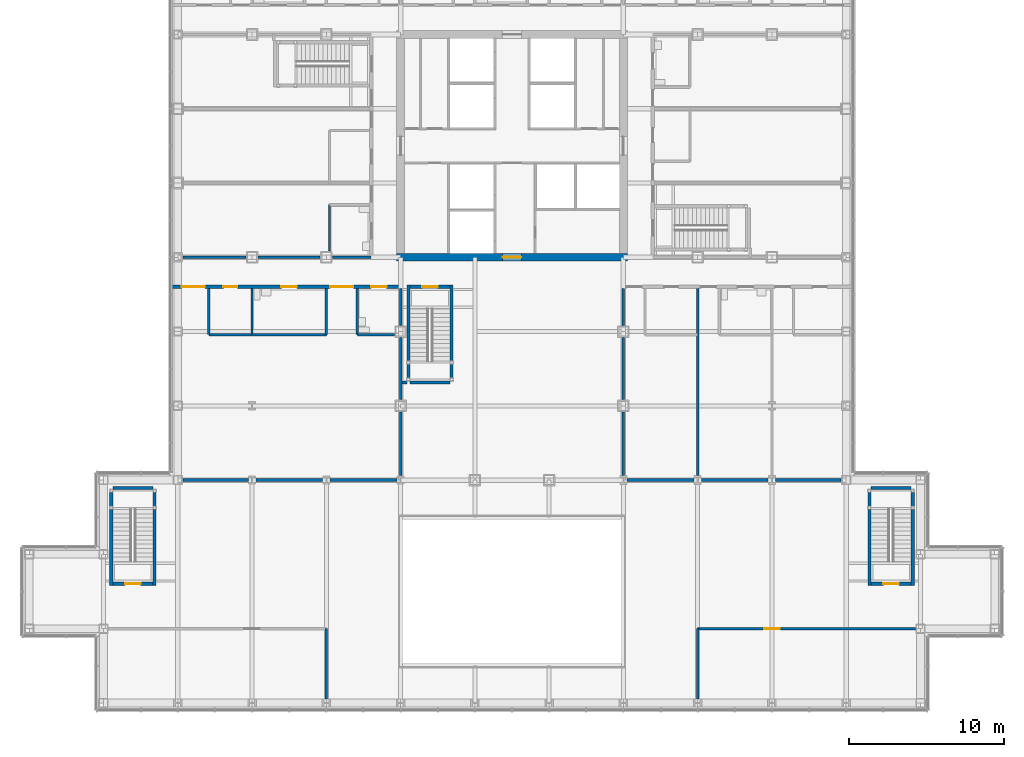
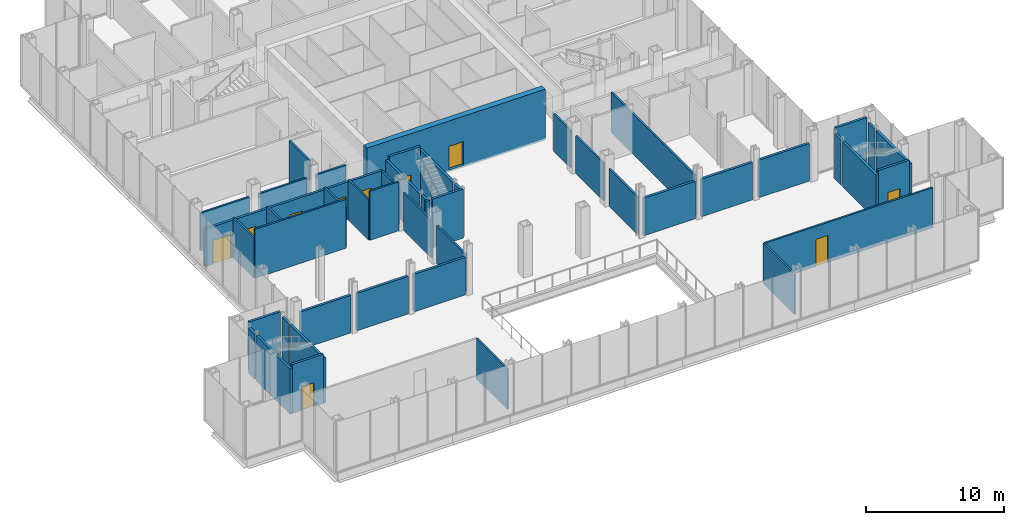
# One storey, part 19 of 25: 47 walls, 10 doors, 10 openings.
"""IFC4 building model written with IfcOpenShell, lengths in metres."""

from ifc_helpers import new_model, si_unit, direction, frame, frame_2d, origin, place, context, subcontext, project, spatial, rectangle, extrude, material, layer, layer_set, type_object, element, fill, save


model = new_model("IFC4")

# Units and contexts
model_context = context("Model", 3, precision=1e-05, world=origin(), true_north=direction((0.0, 1.0)))
body_context = subcontext(model_context, "Body", "Model", "MODEL_VIEW")
ifc_project = project(units=[si_unit("LENGTHUNIT", "METRE"), si_unit("AREAUNIT", "SQUARE_METRE"), si_unit("VOLUMEUNIT", "CUBIC_METRE"), si_unit("PLANEANGLEUNIT", "RADIAN"), si_unit("MASSUNIT", "GRAM", prefix="KILO")], contexts=[model_context])

# Site, building, storey
site_placement = place(None, origin())
site = spatial("IfcSite", under=ifc_project, at=site_placement, CompositionType="ELEMENT")
building_placement = place(site_placement, origin())
building = spatial("IfcBuilding", under=site, at=building_placement, Name="Kvirike Care Tower", CompositionType="ELEMENT")
storey_placement = place(building_placement, frame((0.0, 0.0, 13.5)))
storey = spatial("IfcBuildingStorey", under=building, at=storey_placement, Name="L03", CompositionType="ELEMENT", Elevation=13.5)

# Walls
ifc_material_1 = material(Name="Plasterboard partition", Category="gypsum")
ifc_layer_1 = layer(ifc_material_1, 0.14990234375)
ifc_layer_set_1 = layer_set([ifc_layer_1], Name="CLINIC PARTITION 150")
wall_type_1 = type_object("IfcWallType", Name="CLINIC PARTITION 150", PredefinedType="PARTITIONING", material=ifc_layer_set_1)
for number, where, z_axis, x_axis, name in (
    (1, (9.60009765625, 23.800048828125, 0.0), (0.0, 0.0, 1.0), (0.0, 1.0, 0.0), "Clinic Partition 150 L03"),
    (2, (2.0, 23.800048828125, 0.0), (0.0, 0.0, 1.0), (0.0, 1.0, 0.0), "Clinic Partition 150 L03"),
):
    element("IfcWall", number, at=place(storey_placement, frame(where, z_axis=z_axis, x_axis=x_axis)), inside=storey, type_object=wall_type_1, Name=name, PredefinedType="PARTITIONING", context=body_context, shape_type="SweptSolid", body=[
        extrude(rectangle(XDim=3.0, YDim=0.14990234375, at=frame_2d((1.5, 0.0))), origin(), (0.0, 0.0, 1.0), 3.550048828125),
    ])
wall_1_placement = place(storey_placement, frame((2.0, 23.800048828125, 0.0), z_axis=(0.0, 0.0, 1.0), x_axis=(1.0, 0.0, 0.0)))
element("IfcWall", 3, at=wall_1_placement, inside=storey, type_object=wall_type_1, Name="Clinic Partition 150 L03", PredefinedType="PARTITIONING", context=body_context, shape_type="SweptSolid", body=[
    extrude(rectangle(XDim=7.60009765625, YDim=0.14990234375, at=frame_2d((3.800048828125, 0.0))), origin(), (0.0, 0.0, 1.0), 4.330078125),
])
for number, where, z_axis, x_axis, name in (
    (4, (4.800048828125, 23.800048828125, 0.0), (0.0, 0.0, 1.0), (0.0, 1.0, 0.0), "Clinic Partition 150 L03"),
    (5, (11.60009765625, 23.800048828125, 0.0), (0.0, 0.0, 1.0), (0.0, 1.0, 0.0), "Clinic Partition 150 L03"),
):
    element("IfcWall", number, at=place(storey_placement, frame(where, z_axis=z_axis, x_axis=x_axis)), inside=storey, type_object=wall_type_1, Name=name, PredefinedType="PARTITIONING", context=body_context, shape_type="SweptSolid", body=[
        extrude(rectangle(XDim=3.0, YDim=0.14990234375, at=frame_2d((1.5, 0.0))), origin(), (0.0, 0.0, 1.0), 3.550048828125),
    ])
wall_2_placement = place(storey_placement, frame((11.60009765625, 23.800048828125, 0.0), z_axis=(0.0, 0.0, 1.0), x_axis=(1.0, 0.0, 0.0)))
element("IfcWall", 6, at=wall_2_placement, inside=storey, type_object=wall_type_1, Name="Clinic Partition 150 L03", PredefinedType="PARTITIONING", context=body_context, shape_type="SweptSolid", body=[
    extrude(rectangle(XDim=2.40478515625, YDim=0.14990234375, at=frame_2d((1.202392578125, 0.0))), origin(), (0.0, 0.0, 1.0), 4.330078125),
])
wall_3_placement = place(storey_placement, frame((9.800048828125, 32.199951171875, 0.0), z_axis=(0.0, 0.0, 1.0), x_axis=(0.0, -1.0, 0.0)))
element("IfcWall", 7, at=wall_3_placement, inside=storey, type_object=wall_type_1, Name="Clinic Partition 150 L03", PredefinedType="PARTITIONING", context=body_context, shape_type="SweptSolid", body=[
    extrude(rectangle(XDim=3.0048828125, YDim=0.14990234375, at=frame_2d((1.50244140625, 0.0))), origin(), (0.0, 0.0, 1.0), 4.330078125),
])
wall_4_placement = place(storey_placement, frame((33.60009765625, 14.70458984375, 0.0), z_axis=(0.0, 0.0, 1.0), x_axis=(0.0, 1.0, 0.0)))
element("IfcWall", 8, at=wall_4_placement, inside=storey, type_object=wall_type_1, Name="Clinic Partition 150 L03", PredefinedType="PARTITIONING", context=body_context, shape_type="SweptSolid", body=[
    extrude(rectangle(XDim=12.095458984375, YDim=0.14990234375, at=frame_2d((6.0478515625, 0.0))), origin(), (0.0, 0.0, 1.0), 3.550048828125),
])

# Wall, opening, door
wall_5_placement = place(storey_placement, frame((33.60009765625, 4.800048828125, 0.0), z_axis=(0.0, 0.0, 1.0), x_axis=(1.0, 0.0, 0.0)))
wall_5 = element("IfcWall", 9, at=wall_5_placement, inside=storey, type_object=wall_type_1, Name="Clinic Partition 150 L03", PredefinedType="PARTITIONING", context=body_context, shape_type="SweptSolid", body=[
    extrude(rectangle(XDim=14.079833984375, YDim=0.14990234375, at=frame_2d((7.0400390625, 0.0))), origin(), (0.0, 0.0, 1.0), 3.550048828125),
])
opening_1_placement = place(wall_5_placement, frame((4.300048828125, 0.0, 0.0)))
opening_1 = element("IfcOpeningElement", 10, at=opening_1_placement, cuts=wall_5, Name="Opening 03-046", PredefinedType="OPENING", context=body_context, shape_type="SweptSolid", body=[
    extrude(rectangle(XDim=1.0, YDim=2.39990234375, at=frame_2d((0.5, 1.199951171875))), frame((0.0, 0.08544921875, 0.0), z_axis=(0.0, -1.0, 0.0), x_axis=(1.0, 0.0, 0.0)), (0.0, 0.0, 1.0), 0.1708984375),
])
ifc_material_2 = material(Name="Timber door set", Category="wood")
door_type_1 = type_object("IfcDoorType", Name="CONSULTING ROOM DOOR 1000", OperationType="SINGLE_SWING_LEFT", PredefinedType="DOOR", material=ifc_material_2)
door_1_placement = place(opening_1_placement, frame((1.0, 0.0, 0.0), z_axis=(0.0, 0.0, 1.0), x_axis=(-1.0, 0.0, 0.0)))
door_1 = element("IfcDoor", 11, at=door_1_placement, inside=storey, type_object=door_type_1, Name="Room door", OperationType="SINGLE_SWING_LEFT", OverallHeight=2.39990234375, OverallWidth=1.0, PredefinedType="DOOR", context=body_context, shape_type="SweptSolid", body=[
    extrude(rectangle(XDim=1.0, YDim=2.39990234375, at=frame_2d((0.5, 1.199951171875))), frame((0.0, 0.02685546875, 0.0), z_axis=(0.0, -1.0, 0.0), x_axis=(1.0, 0.0, 0.0)), (0.0, 0.0, 1.0), 0.053955078125),
])
fill(opening_1, door_1)

# Walls
for number, where, z_axis, x_axis, name in (
    (12, (9.60009765625, 0.243896484375, 0.0), (0.0, 0.0, 1.0), (0.0, 1.0, 0.0), "Clinic Partition 150 L03"),
    (13, (33.60009765625, 0.243896484375, 0.0), (0.0, 0.0, 1.0), (0.0, 1.0, 0.0), "Clinic Partition 150 L03"),
):
    element("IfcWall", number, at=place(storey_placement, frame(where, z_axis=z_axis, x_axis=x_axis)), inside=storey, type_object=wall_type_1, Name=name, PredefinedType="PARTITIONING", context=body_context, shape_type="SweptSolid", body=[
        extrude(rectangle(XDim=4.55615234375, YDim=0.14990234375, at=frame_2d((2.278076171875, 0.0))), origin(), (0.0, 0.0, 1.0), 3.550048828125),
    ])
wall_6_placement = place(storey_placement, frame((12.5, 28.800048828125, 0.0), z_axis=(0.0, 0.0, 1.0), x_axis=(-1.0, 0.0, 0.0)))
element("IfcWall", 14, at=wall_6_placement, inside=storey, type_object=wall_type_1, Name="Clinic Partition 150 L03", PredefinedType="PARTITIONING", context=body_context, shape_type="SweptSolid", body=[
    extrude(rectangle(XDim=2.5048828125, YDim=0.14990234375, at=frame_2d((1.25244140625, 0.0))), origin(), (0.0, 0.0, 1.0), 3.320068359375),
])
wall_7_placement = place(storey_placement, frame((9.205078125, 28.800048828125, 0.0), z_axis=(0.0, 0.0, 1.0), x_axis=(-1.0, 0.0, 0.0)))
element("IfcWall", 15, at=wall_7_placement, inside=storey, type_object=wall_type_1, Name="Clinic Partition 150 L03", PredefinedType="PARTITIONING", context=body_context, shape_type="SweptSolid", body=[
    extrude(rectangle(XDim=4.010009765625, YDim=0.14990234375, at=frame_2d((2.0048828125, 0.0))), origin(), (0.0, 0.0, 1.0), 3.320068359375),
])
wall_8_placement = place(storey_placement, frame((4.405029296875, 28.800048828125, 0.0), z_axis=(0.0, 0.0, 1.0), x_axis=(-1.0, 0.0, 0.0)))
element("IfcWall", 16, at=wall_8_placement, inside=storey, type_object=wall_type_1, Name="Clinic Partition 150 L03", PredefinedType="PARTITIONING", context=body_context, shape_type="SweptSolid", body=[
    extrude(rectangle(XDim=4.0849609375, YDim=0.14990234375, at=frame_2d((2.04248046875, 0.0))), origin(), (0.0, 0.0, 1.0), 3.320068359375),
])
wall_9_placement = place(storey_placement, frame((14.39990234375, 14.685546875, 0.0), z_axis=(0.0, 0.0, 1.0), x_axis=(0.0, 1.0, 0.0)))
element("IfcWall", 17, at=wall_9_placement, inside=storey, type_object=wall_type_1, Name="Clinic Partition 150 L03", PredefinedType="PARTITIONING", context=body_context, shape_type="SweptSolid", body=[
    extrude(rectangle(XDim=4.119384765625, YDim=0.14990234375, at=frame_2d((2.0595703125, 0.0))), origin(), (0.0, 0.0, 1.0), 3.320068359375),
])
wall_10_placement = place(storey_placement, frame((14.39990234375, 19.594970703125, 0.0), z_axis=(0.0, 0.0, 1.0), x_axis=(0.0, 1.0, 0.0)))
element("IfcWall", 18, at=wall_10_placement, inside=storey, type_object=wall_type_1, Name="Clinic Partition 150 L03", PredefinedType="PARTITIONING", context=body_context, shape_type="SweptSolid", body=[
    extrude(rectangle(XDim=4.010009765625, YDim=0.14990234375, at=frame_2d((2.0048828125, 0.0))), origin(), (0.0, 0.0, 1.0), 3.320068359375),
])
wall_11_placement = place(storey_placement, frame((14.39990234375, 24.39501953125, 0.0), z_axis=(0.0, 0.0, 1.0), x_axis=(0.0, 1.0, 0.0)))
element("IfcWall", 19, at=wall_11_placement, inside=storey, type_object=wall_type_1, Name="Clinic Partition 150 L03", PredefinedType="PARTITIONING", context=body_context, shape_type="SweptSolid", body=[
    extrude(rectangle(XDim=2.405029296875, YDim=0.14990234375, at=frame_2d((1.20263671875, 0.0))), origin(), (0.0, 0.0, 1.0), 3.320068359375),
])
wall_12_placement = place(storey_placement, frame((28.800048828125, 14.70458984375, 0.0), z_axis=(0.0, 0.0, 1.0), x_axis=(0.0, 1.0, 0.0)))
element("IfcWall", 20, at=wall_12_placement, inside=storey, type_object=wall_type_1, Name="Clinic Partition 150 L03", PredefinedType="PARTITIONING", context=body_context, shape_type="SweptSolid", body=[
    extrude(rectangle(XDim=4.100341796875, YDim=0.14990234375, at=frame_2d((2.05029296875, 0.0))), origin(), (0.0, 0.0, 1.0), 3.320068359375),
])
wall_13_placement = place(storey_placement, frame((28.800048828125, 19.594970703125, 0.0), z_axis=(0.0, 0.0, 1.0), x_axis=(0.0, 1.0, 0.0)))
element("IfcWall", 21, at=wall_13_placement, inside=storey, type_object=wall_type_1, Name="Clinic Partition 150 L03", PredefinedType="PARTITIONING", context=body_context, shape_type="SweptSolid", body=[
    extrude(rectangle(XDim=4.010009765625, YDim=0.14990234375, at=frame_2d((2.0048828125, 0.0))), origin(), (0.0, 0.0, 1.0), 3.320068359375),
])
wall_14_placement = place(storey_placement, frame((28.800048828125, 24.39501953125, 0.0), z_axis=(0.0, 0.0, 1.0), x_axis=(0.0, 1.0, 0.0)))
element("IfcWall", 22, at=wall_14_placement, inside=storey, type_object=wall_type_1, Name="Clinic Partition 150 L03", PredefinedType="PARTITIONING", context=body_context, shape_type="SweptSolid", body=[
    extrude(rectangle(XDim=2.405029296875, YDim=0.14990234375, at=frame_2d((1.20263671875, 0.0))), origin(), (0.0, 0.0, 1.0), 3.320068359375),
])

# Wall, opening, door
ifc_material_3 = material(Name="Concrete C60/75", Category="concrete")
ifc_layer_2 = layer(ifc_material_3, 0.5)
ifc_layer_set_2 = layer_set([ifc_layer_2], Name="CORE WALL 500 C60-75")
wall_type_2 = type_object("IfcWallType", Name="CORE WALL 500 C60-75", PredefinedType="SHEAR", material=ifc_layer_set_2)
wall_15_placement = place(storey_placement, frame((14.14990234375, 28.800048828125, -0.169921875), z_axis=(0.0, 0.0, 1.0), x_axis=(1.0, 0.0, 0.0)))
wall_15 = element("IfcWall", 23, at=wall_15_placement, inside=storey, type_object=wall_type_2, Name="Core wall S L03", PredefinedType="SHEAR", context=body_context, shape_type="SweptSolid", body=[
    extrude(rectangle(XDim=14.900146484375, YDim=0.5, at=frame_2d((7.4501953125, 0.0))), origin(), (0.0, 0.0, 1.0), 4.5),
])
opening_2_placement = place(wall_15_placement, frame((6.85009765625, 0.0, 0.169921875)))
opening_2 = element("IfcOpeningElement", 24, at=opening_2_placement, cuts=wall_15, Name="Opening 03-058", PredefinedType="OPENING", context=body_context, shape_type="SweptSolid", body=[
    extrude(rectangle(XDim=1.199951171875, YDim=2.10009765625, at=frame_2d((0.60009765625, 1.050048828125))), frame((0.0, 0.260498046875, 0.0), z_axis=(0.0, -1.0, 0.0), x_axis=(1.0, 0.0, 0.0)), (0.0, 0.0, 1.0), 0.52099609375),
])
ifc_material_4 = material(Name="Timber door set", Category="wood")
door_type_2 = type_object("IfcDoorType", Name="CORE DOOR 1200", OperationType="SINGLE_SWING_LEFT", PredefinedType="DOOR", material=ifc_material_4)
door_2_placement = place(opening_2_placement, origin())
door_2 = element("IfcDoor", 25, at=door_2_placement, inside=storey, type_object=door_type_2, Name="Core door S L03", OperationType="SINGLE_SWING_LEFT", OverallHeight=2.10009765625, OverallWidth=1.199951171875, PredefinedType="DOOR", context=body_context, shape_type="SweptSolid", body=[
    extrude(rectangle(XDim=1.199951171875, YDim=2.10009765625, at=frame_2d((0.60009765625, 1.050048828125))), frame((0.0, 0.02685546875, 0.0), z_axis=(0.0, -1.0, 0.0), x_axis=(1.0, 0.0, 0.0)), (0.0, 0.0, 1.0), 0.053955078125),
])
fill(opening_2, door_2)

# Wall, openings, doors
ifc_material_5 = material(Name="Plasterboard corridor wall", Category="gypsum")
ifc_layer_3 = layer(ifc_material_5, 0.199951171875)
ifc_layer_set_3 = layer_set([ifc_layer_3], Name="CORRIDOR WALL 200")
wall_type_3 = type_object("IfcWallType", Name="CORRIDOR WALL 200", PredefinedType="PARTITIONING", material=ifc_layer_set_3)
wall_16_placement = place(storey_placement, frame((-0.455078125, 26.89990234375, 0.0), z_axis=(0.0, 0.0, 1.0), x_axis=(1.0, 0.0, 0.0)))
wall_16 = element("IfcWall", 26, at=wall_16_placement, inside=storey, type_object=wall_type_3, Name="Corridor Wall 200 L03", PredefinedType="PARTITIONING", context=body_context, shape_type="SweptSolid", body=[
    extrude(rectangle(XDim=14.85498046875, YDim=0.199951171875, at=frame_2d((7.427490234375, 0.0))), origin(), (0.0, 0.0, 1.0), 3.320068359375),
])
opening_3_placement = place(wall_16_placement, frame((0.705078125, 0.0, 0.0)))
opening_3 = element("IfcOpeningElement", 27, at=opening_3_placement, cuts=wall_16, Name="Opening 03-001", PredefinedType="OPENING", context=body_context, shape_type="SweptSolid", body=[
    extrude(rectangle(XDim=1.5, YDim=2.10009765625, at=frame_2d((0.75, 1.050048828125))), frame((0.0, 0.110595703125, 0.0), z_axis=(0.0, -1.0, 0.0), x_axis=(1.0, 0.0, 0.0)), (0.0, 0.0, 1.0), 0.220947265625),
])
opening_4_placement = place(wall_16_placement, frame((10.304931640625, 0.0, 0.0)))
opening_4 = element("IfcOpeningElement", 28, at=opening_4_placement, cuts=wall_16, Name="Opening 03-002", PredefinedType="OPENING", context=body_context, shape_type="SweptSolid", body=[
    extrude(rectangle(XDim=1.5, YDim=2.10009765625, at=frame_2d((0.75, 1.050048828125))), frame((0.0, 0.110595703125, 0.0), z_axis=(0.0, -1.0, 0.0), x_axis=(1.0, 0.0, 0.0)), (0.0, 0.0, 1.0), 0.220947265625),
])
opening_5_placement = place(wall_16_placement, frame((3.405029296875, 0.0, 0.0)))
opening_5 = element("IfcOpeningElement", 29, at=opening_5_placement, cuts=wall_16, Name="Opening 03-003", PredefinedType="OPENING", context=body_context, shape_type="SweptSolid", body=[
    extrude(rectangle(XDim=0.89990234375, YDim=2.10009765625, at=frame_2d((0.449951171875, 1.050048828125))), frame((0.0, 0.110595703125, 0.0), z_axis=(0.0, -1.0, 0.0), x_axis=(1.0, 0.0, 0.0)), (0.0, 0.0, 1.0), 0.220947265625),
])
opening_6_placement = place(wall_16_placement, frame((7.155029296875, 0.0, 0.0)))
opening_6 = element("IfcOpeningElement", 30, at=opening_6_placement, cuts=wall_16, Name="Opening 03-004", PredefinedType="OPENING", context=body_context, shape_type="SweptSolid", body=[
    extrude(rectangle(XDim=1.0, YDim=2.10009765625, at=frame_2d((0.5, 1.050048828125))), frame((0.0, 0.110595703125, 0.0), z_axis=(0.0, -1.0, 0.0), x_axis=(1.0, 0.0, 0.0)), (0.0, 0.0, 1.0), 0.220947265625),
])
opening_7_placement = place(wall_16_placement, frame((12.955078125, 0.0, 0.0)))
opening_7 = element("IfcOpeningElement", 31, at=opening_7_placement, cuts=wall_16, Name="Opening 03-005", PredefinedType="OPENING", context=body_context, shape_type="SweptSolid", body=[
    extrude(rectangle(XDim=1.0, YDim=2.10009765625, at=frame_2d((0.5, 1.050048828125))), frame((0.0, 0.110595703125, 0.0), z_axis=(0.0, -1.0, 0.0), x_axis=(1.0, 0.0, 0.0)), (0.0, 0.0, 1.0), 0.220947265625),
])
ifc_material_6 = material(Name="Timber door set", Category="wood")
door_type_3 = type_object("IfcDoorType", Name="DINING ROOM DOOR 1500", OperationType="DOUBLE_DOOR_SINGLE_SWING", PredefinedType="DOOR", material=ifc_material_6)
door_3_placement = place(opening_3_placement, frame((1.5, 0.0, 0.0), z_axis=(0.0, 0.0, 1.0), x_axis=(-1.0, 0.0, 0.0)))
door_3 = element("IfcDoor", 32, at=door_3_placement, inside=storey, type_object=door_type_3, Name="Residents restaurant door", OperationType="DOUBLE_DOOR_SINGLE_SWING", OverallHeight=2.10009765625, OverallWidth=1.5, PredefinedType="DOOR", context=body_context, shape_type="SweptSolid", body=[
    extrude(rectangle(XDim=1.5, YDim=2.10009765625, at=frame_2d((0.75, 1.050048828125))), frame((0.0, 0.02685546875, 0.0), z_axis=(0.0, -1.0, 0.0), x_axis=(1.0, 0.0, 0.0)), (0.0, 0.0, 1.0), 0.053955078125),
])
fill(opening_3, door_3)
door_4_placement = place(opening_4_placement, frame((1.5, 0.0, 0.0), z_axis=(0.0, 0.0, 1.0), x_axis=(-1.0, 0.0, 0.0)))
door_4 = element("IfcDoor", 33, at=door_4_placement, inside=storey, type_object=door_type_3, Name="Residents restaurant door", OperationType="DOUBLE_DOOR_SINGLE_SWING", OverallHeight=2.10009765625, OverallWidth=1.5, PredefinedType="DOOR", context=body_context, shape_type="SweptSolid", body=[
    extrude(rectangle(XDim=1.5, YDim=2.10009765625, at=frame_2d((0.75, 1.050048828125))), frame((0.0, 0.02685546875, 0.0), z_axis=(0.0, -1.0, 0.0), x_axis=(1.0, 0.0, 0.0)), (0.0, 0.0, 1.0), 0.053955078125),
])
fill(opening_4, door_4)
ifc_material_7 = material(Name="Timber door set", Category="wood")
door_type_4 = type_object("IfcDoorType", Name="STORE DOOR 900", OperationType="SINGLE_SWING_LEFT", PredefinedType="DOOR", material=ifc_material_7)
door_5_placement = place(opening_5_placement, frame((0.89990234375, 0.0, 0.0), z_axis=(0.0, 0.0, 1.0), x_axis=(-1.0, 0.0, 0.0)))
door_5 = element("IfcDoor", 34, at=door_5_placement, inside=storey, type_object=door_type_4, Name="Store door", OperationType="SINGLE_SWING_LEFT", OverallHeight=2.10009765625, OverallWidth=0.89990234375, PredefinedType="DOOR", context=body_context, shape_type="SweptSolid", body=[
    extrude(rectangle(XDim=0.89990234375, YDim=2.10009765625, at=frame_2d((0.449951171875, 1.050048828125))), frame((0.0, 0.02685546875, 0.0), z_axis=(0.0, -1.0, 0.0), x_axis=(1.0, 0.0, 0.0)), (0.0, 0.0, 1.0), 0.053955078125),
])
fill(opening_5, door_5)
ifc_material_8 = material(Name="Timber door set", Category="wood")
door_type_5 = type_object("IfcDoorType", Name="WC DOOR 1000", OperationType="SINGLE_SWING_LEFT", PredefinedType="DOOR", material=ifc_material_8)
door_6_placement = place(opening_6_placement, frame((1.0, 0.0, 0.0), z_axis=(0.0, 0.0, 1.0), x_axis=(-1.0, 0.0, 0.0)))
door_6 = element("IfcDoor", 35, at=door_6_placement, inside=storey, type_object=door_type_5, Name="Accessible WC door", OperationType="SINGLE_SWING_LEFT", OverallHeight=2.10009765625, OverallWidth=1.0, PredefinedType="DOOR", context=body_context, shape_type="SweptSolid", body=[
    extrude(rectangle(XDim=1.0, YDim=2.10009765625, at=frame_2d((0.5, 1.050048828125))), frame((0.0, 0.02685546875, 0.0), z_axis=(0.0, -1.0, 0.0), x_axis=(1.0, 0.0, 0.0)), (0.0, 0.0, 1.0), 0.053955078125),
])
fill(opening_6, door_6)
door_7_placement = place(opening_7_placement, frame((1.0, 0.0, 0.0), z_axis=(0.0, 0.0, 1.0), x_axis=(-1.0, 0.0, 0.0)))
door_7 = element("IfcDoor", 36, at=door_7_placement, inside=storey, type_object=door_type_5, Name="Staff WC door", OperationType="SINGLE_SWING_RIGHT", OverallHeight=2.10009765625, OverallWidth=1.0, PredefinedType="DOOR", context=body_context, shape_type="SweptSolid", body=[
    extrude(rectangle(XDim=1.0, YDim=2.10009765625, at=frame_2d((0.5, 1.050048828125))), frame((0.0, 0.02685546875, 0.0), z_axis=(0.0, -1.0, 0.0), x_axis=(1.0, 0.0, 0.0)), (0.0, 0.0, 1.0), 0.053955078125),
])
fill(opening_7, door_7)

# Walls
ifc_material_9 = material(Name="Plasterboard party wall", Category="gypsum")
ifc_layer_4 = layer(ifc_material_9, 0.199951171875)
ifc_layer_set_4 = layer_set([ifc_layer_4], Name="PARTY WALL 200")
wall_type_4 = type_object("IfcWallType", Name="PARTY WALL 200", PredefinedType="PARTITIONING", material=ifc_layer_set_4)
wall_17_placement = place(storey_placement, frame((0.320068359375, 14.39990234375, 0.0), z_axis=(0.0, 0.0, 1.0), x_axis=(1.0, 0.0, 0.0)))
element("IfcWall", 37, at=wall_17_placement, inside=storey, type_object=wall_type_4, Name="Party Wall 200 L03", PredefinedType="PARTITIONING", context=body_context, shape_type="SweptSolid", body=[
    extrude(rectangle(XDim=4.239013671875, YDim=0.199951171875, at=frame_2d((2.11962890625, 0.0))), origin(), (0.0, 0.0, 1.0), 3.320068359375),
])
for number, where, z_axis, x_axis, name in (
    (38, (5.041015625, 14.39990234375, 0.0), (0.0, 0.0, 1.0), (1.0, 0.0, 0.0), "Party Wall 200 L03"),
    (39, (9.841064453125, 14.39990234375, 0.0), (0.0, 0.0, 1.0), (1.0, 0.0, 0.0), "Party Wall 200 L03"),
):
    element("IfcWall", number, at=place(storey_placement, frame(where, z_axis=z_axis, x_axis=x_axis)), inside=storey, type_object=wall_type_4, Name=name, PredefinedType="PARTITIONING", context=body_context, shape_type="SweptSolid", body=[
        extrude(rectangle(XDim=4.31787109375, YDim=0.199951171875, at=frame_2d((2.158935546875, 0.0))), origin(), (0.0, 0.0, 1.0), 3.320068359375),
    ])
wall_18_placement = place(storey_placement, frame((29.047119140625, 14.39990234375, 0.0), z_axis=(0.0, 0.0, 1.0), x_axis=(1.0, 0.0, 0.0)))
element("IfcWall", 40, at=wall_18_placement, inside=storey, type_object=wall_type_4, Name="Party Wall 200 L03", PredefinedType="PARTITIONING", context=body_context, shape_type="SweptSolid", body=[
    extrude(rectangle(XDim=4.305908203125, YDim=0.199951171875, at=frame_2d((2.15283203125, 0.0))), origin(), (0.0, 0.0, 1.0), 3.320068359375),
])
wall_19_placement = place(storey_placement, frame((33.846923828125, 14.39990234375, 0.0), z_axis=(0.0, 0.0, 1.0), x_axis=(1.0, 0.0, 0.0)))
element("IfcWall", 41, at=wall_19_placement, inside=storey, type_object=wall_type_4, Name="Party Wall 200 L03", PredefinedType="PARTITIONING", context=body_context, shape_type="SweptSolid", body=[
    extrude(rectangle(XDim=4.30615234375, YDim=0.199951171875, at=frame_2d((2.153076171875, 0.0))), origin(), (0.0, 0.0, 1.0), 3.320068359375),
])
wall_20_placement = place(storey_placement, frame((38.64697265625, 14.39990234375, 0.0), z_axis=(0.0, 0.0, 1.0), x_axis=(1.0, 0.0, 0.0)))
element("IfcWall", 42, at=wall_20_placement, inside=storey, type_object=wall_type_4, Name="Party Wall 200 L03", PredefinedType="PARTITIONING", context=body_context, shape_type="SweptSolid", body=[
    extrude(rectangle(XDim=4.23291015625, YDim=0.199951171875, at=frame_2d((2.116455078125, 0.0))), origin(), (0.0, 0.0, 1.0), 3.320068359375),
])
ifc_material_10 = material(Name="Concrete C40/50", Category="concrete")
ifc_layer_5 = layer(ifc_material_10, 0.199951171875)
ifc_layer_set_5 = layer_set([ifc_layer_5], Name="STAIR WALL 200")
wall_type_5 = type_object("IfcWallType", Name="STAIR WALL 200", PredefinedType="SOLIDWALL", material=ifc_layer_set_5)
wall_21_placement = place(storey_placement, frame((14.89990234375, 21.0, 0.0), z_axis=(0.0, 0.0, 1.0), x_axis=(0.0, 1.0, 0.0)))
element("IfcWall", 43, at=wall_21_placement, inside=storey, type_object=wall_type_5, Name="Stair Wall 200 L03", PredefinedType="SOLIDWALL", context=body_context, shape_type="SweptSolid", body=[
    extrude(rectangle(XDim=0.89990234375, YDim=0.199951171875, at=frame_2d((0.449951171875, 0.0))), origin(), (0.0, 0.0, 1.0), 3.989990234375),
])
wall_22_placement = place(storey_placement, frame((14.89990234375, 22.10009765625, 0.0), z_axis=(0.0, 0.0, 1.0), x_axis=(0.0, 1.0, 0.0)))
element("IfcWall", 44, at=wall_22_placement, inside=storey, type_object=wall_type_5, Name="Stair Wall 200 L03", PredefinedType="SOLIDWALL", context=body_context, shape_type="SweptSolid", body=[
    extrude(rectangle(XDim=4.89990234375, YDim=0.199951171875, at=frame_2d((2.449951171875, 0.0))), origin(), (0.0, 0.0, 1.0), 3.989990234375),
])
wall_23_placement = place(storey_placement, frame((17.699951171875, 21.0, 0.0), z_axis=(0.0, 0.0, 1.0), x_axis=(0.0, 1.0, 0.0)))
element("IfcWall", 45, at=wall_23_placement, inside=storey, type_object=wall_type_5, Name="Stair Wall 200 L03", PredefinedType="SOLIDWALL", context=body_context, shape_type="SweptSolid", body=[
    extrude(rectangle(XDim=0.89990234375, YDim=0.199951171875, at=frame_2d((0.449951171875, 0.0))), origin(), (0.0, 0.0, 1.0), 3.989990234375),
])
wall_24_placement = place(storey_placement, frame((17.699951171875, 22.10009765625, 0.0), z_axis=(0.0, 0.0, 1.0), x_axis=(0.0, 1.0, 0.0)))
element("IfcWall", 46, at=wall_24_placement, inside=storey, type_object=wall_type_5, Name="Stair Wall 200 L03", PredefinedType="SOLIDWALL", context=body_context, shape_type="SweptSolid", body=[
    extrude(rectangle(XDim=4.89990234375, YDim=0.199951171875, at=frame_2d((2.449951171875, 0.0))), origin(), (0.0, 0.0, 1.0), 3.989990234375),
])
wall_25_placement = place(storey_placement, frame((14.47509765625, 20.699951171875, 0.0), z_axis=(0.0, 0.0, 1.0), x_axis=(1.0, 0.0, 0.0)))
element("IfcWall", 47, at=wall_25_placement, inside=storey, type_object=wall_type_5, Name="Stair Wall 200 L03", PredefinedType="SOLIDWALL", context=body_context, shape_type="SweptSolid", body=[
    extrude(rectangle(XDim=0.324951171875, YDim=0.199951171875, at=frame_2d((0.16259765625, 0.0))), origin(), (0.0, 0.0, 1.0), 4.330078125),
])
wall_26_placement = place(storey_placement, frame((15.0, 20.699951171875, 0.0), z_axis=(0.0, 0.0, 1.0), x_axis=(1.0, 0.0, 0.0)))
element("IfcWall", 48, at=wall_26_placement, inside=storey, type_object=wall_type_5, Name="Stair Wall 200 L03", PredefinedType="SOLIDWALL", context=body_context, shape_type="SweptSolid", body=[
    extrude(rectangle(XDim=2.60009765625, YDim=0.199951171875, at=frame_2d((1.300048828125, 0.0))), origin(), (0.0, 0.0, 1.0), 4.330078125),
])

# Wall, opening, door
wall_27_placement = place(storey_placement, frame((15.0, 26.89990234375, 0.0), z_axis=(0.0, 0.0, 1.0), x_axis=(1.0, 0.0, 0.0)))
wall_27 = element("IfcWall", 49, at=wall_27_placement, inside=storey, type_object=wall_type_5, Name="Stair Wall 200 L03", PredefinedType="SOLIDWALL", context=body_context, shape_type="SweptSolid", body=[
    extrude(rectangle(XDim=2.60009765625, YDim=0.199951171875, at=frame_2d((1.300048828125, 0.0))), origin(), (0.0, 0.0, 1.0), 4.330078125),
])
opening_8_placement = place(wall_27_placement, frame((0.800048828125, 0.0, 0.0)))
opening_8 = element("IfcOpeningElement", 50, at=opening_8_placement, cuts=wall_27, Name="Opening 03-018", PredefinedType="OPENING", context=body_context, shape_type="SweptSolid", body=[
    extrude(rectangle(XDim=1.0, YDim=2.10009765625, at=frame_2d((0.5, 1.050048828125))), frame((0.0, 0.110595703125, 0.0), z_axis=(0.0, -1.0, 0.0), x_axis=(1.0, 0.0, 0.0)), (0.0, 0.0, 1.0), 0.220947265625),
])
ifc_material_11 = material(Name="Timber door set", Category="wood")
door_type_6 = type_object("IfcDoorType", Name="STAIR DOOR 1000", OperationType="SINGLE_SWING_LEFT", PredefinedType="DOOR", material=ifc_material_11)
door_8_placement = place(opening_8_placement, frame((1.0, 0.0, 0.0), z_axis=(0.0, 0.0, 1.0), x_axis=(-1.0, 0.0, 0.0)))
door_8 = element("IfcDoor", 51, at=door_8_placement, inside=storey, type_object=door_type_6, Name="Stair 5 door", OperationType="SINGLE_SWING_RIGHT", OverallHeight=2.10009765625, OverallWidth=1.0, PredefinedType="DOOR", context=body_context, shape_type="SweptSolid", body=[
    extrude(rectangle(XDim=1.0, YDim=2.10009765625, at=frame_2d((0.5, 1.050048828125))), frame((0.0, 0.031982421875, 0.0), z_axis=(0.0, -1.0, 0.0), x_axis=(1.0, 0.0, 0.0)), (0.0, 0.0, 1.0), 0.06396484375),
])
fill(opening_8, door_8)

# Walls
wall_28_placement = place(storey_placement, frame((-4.300048828125, 13.60009765625, 0.0), z_axis=(0.0, 0.0, 1.0), x_axis=(0.0, -1.0, 0.0)))
element("IfcWall", 52, at=wall_28_placement, inside=storey, type_object=wall_type_5, Name="Stair Wall 200 L03", PredefinedType="SOLIDWALL", context=body_context, shape_type="SweptSolid", body=[
    extrude(rectangle(XDim=0.900146484375, YDim=0.199951171875, at=frame_2d((0.4501953125, 0.0))), origin(), (0.0, 0.0, 1.0), 3.989990234375),
])
wall_29_placement = place(storey_placement, frame((-4.300048828125, 12.5, 0.0), z_axis=(0.0, 0.0, 1.0), x_axis=(0.0, -1.0, 0.0)))
element("IfcWall", 53, at=wall_29_placement, inside=storey, type_object=wall_type_5, Name="Stair Wall 200 L03", PredefinedType="SOLIDWALL", context=body_context, shape_type="SweptSolid", body=[
    extrude(rectangle(XDim=4.89990234375, YDim=0.199951171875, at=frame_2d((2.449951171875, 0.0))), origin(), (0.0, 0.0, 1.0), 3.989990234375),
])
wall_30_placement = place(storey_placement, frame((-1.5, 13.60009765625, 0.0), z_axis=(0.0, 0.0, 1.0), x_axis=(0.0, -1.0, 0.0)))
element("IfcWall", 54, at=wall_30_placement, inside=storey, type_object=wall_type_5, Name="Stair Wall 200 L03", PredefinedType="SOLIDWALL", context=body_context, shape_type="SweptSolid", body=[
    extrude(rectangle(XDim=0.900146484375, YDim=0.199951171875, at=frame_2d((0.4501953125, 0.0))), origin(), (0.0, 0.0, 1.0), 3.989990234375),
])
wall_31_placement = place(storey_placement, frame((-1.5, 12.5, 0.0), z_axis=(0.0, 0.0, 1.0), x_axis=(0.0, -1.0, 0.0)))
element("IfcWall", 55, at=wall_31_placement, inside=storey, type_object=wall_type_5, Name="Stair Wall 200 L03", PredefinedType="SOLIDWALL", context=body_context, shape_type="SweptSolid", body=[
    extrude(rectangle(XDim=4.89990234375, YDim=0.199951171875, at=frame_2d((2.449951171875, 0.0))), origin(), (0.0, 0.0, 1.0), 3.989990234375),
])
wall_32_placement = place(storey_placement, frame((-4.199951171875, 13.89990234375, 0.0), z_axis=(0.0, 0.0, 1.0), x_axis=(1.0, 0.0, 0.0)))
element("IfcWall", 56, at=wall_32_placement, inside=storey, type_object=wall_type_5, Name="Stair Wall 200 L03", PredefinedType="SOLIDWALL", context=body_context, shape_type="SweptSolid", body=[
    extrude(rectangle(XDim=2.599853515625, YDim=0.199951171875, at=frame_2d((1.2998046875, 0.0))), origin(), (0.0, 0.0, 1.0), 4.330078125),
])

# Wall, opening, door
wall_33_placement = place(storey_placement, frame((-4.199951171875, 7.699951171875, 0.0), z_axis=(0.0, 0.0, 1.0), x_axis=(1.0, 0.0, 0.0)))
wall_33 = element("IfcWall", 57, at=wall_33_placement, inside=storey, type_object=wall_type_5, Name="Stair Wall 200 L03", PredefinedType="SOLIDWALL", context=body_context, shape_type="SweptSolid", body=[
    extrude(rectangle(XDim=2.599853515625, YDim=0.199951171875, at=frame_2d((1.2998046875, 0.0))), origin(), (0.0, 0.0, 1.0), 4.330078125),
])
opening_9_placement = place(wall_33_placement, frame((0.800048828125, 0.0, 0.0)))
opening_9 = element("IfcOpeningElement", 58, at=opening_9_placement, cuts=wall_33, Name="Opening 03-043", PredefinedType="OPENING", context=body_context, shape_type="SweptSolid", body=[
    extrude(rectangle(XDim=1.0, YDim=2.10009765625, at=frame_2d((0.5, 1.050048828125))), frame((0.0, 0.110595703125, 0.0), z_axis=(0.0, -1.0, 0.0), x_axis=(1.0, 0.0, 0.0)), (0.0, 0.0, 1.0), 0.220947265625),
])
door_9_placement = place(opening_9_placement, origin())
door_9 = element("IfcDoor", 59, at=door_9_placement, inside=storey, type_object=door_type_6, Name="Stair 3 door", OperationType="SINGLE_SWING_LEFT", OverallHeight=2.10009765625, OverallWidth=1.0, PredefinedType="DOOR", context=body_context, shape_type="SweptSolid", body=[
    extrude(rectangle(XDim=1.0, YDim=2.10009765625, at=frame_2d((0.5, 1.050048828125))), frame((0.0, 0.031982421875, 0.0), z_axis=(0.0, -1.0, 0.0), x_axis=(1.0, 0.0, 0.0)), (0.0, 0.0, 1.0), 0.06396484375),
])
fill(opening_9, door_9)

# Walls
wall_34_placement = place(storey_placement, frame((44.699951171875, 13.60009765625, 0.0), z_axis=(0.0, 0.0, 1.0), x_axis=(0.0, -1.0, 0.0)))
element("IfcWall", 60, at=wall_34_placement, inside=storey, type_object=wall_type_5, Name="Stair Wall 200 L03", PredefinedType="SOLIDWALL", context=body_context, shape_type="SweptSolid", body=[
    extrude(rectangle(XDim=0.900146484375, YDim=0.199951171875, at=frame_2d((0.4501953125, 0.0))), origin(), (0.0, 0.0, 1.0), 3.989990234375),
])
wall_35_placement = place(storey_placement, frame((44.699951171875, 12.5, 0.0), z_axis=(0.0, 0.0, 1.0), x_axis=(0.0, -1.0, 0.0)))
element("IfcWall", 61, at=wall_35_placement, inside=storey, type_object=wall_type_5, Name="Stair Wall 200 L03", PredefinedType="SOLIDWALL", context=body_context, shape_type="SweptSolid", body=[
    extrude(rectangle(XDim=4.89990234375, YDim=0.199951171875, at=frame_2d((2.449951171875, 0.0))), origin(), (0.0, 0.0, 1.0), 3.989990234375),
])
wall_36_placement = place(storey_placement, frame((47.5, 13.60009765625, 0.0), z_axis=(0.0, 0.0, 1.0), x_axis=(0.0, -1.0, 0.0)))
element("IfcWall", 62, at=wall_36_placement, inside=storey, type_object=wall_type_5, Name="Stair Wall 200 L03", PredefinedType="SOLIDWALL", context=body_context, shape_type="SweptSolid", body=[
    extrude(rectangle(XDim=0.900146484375, YDim=0.199951171875, at=frame_2d((0.4501953125, 0.0))), origin(), (0.0, 0.0, 1.0), 3.989990234375),
])
wall_37_placement = place(storey_placement, frame((47.5, 12.5, 0.0), z_axis=(0.0, 0.0, 1.0), x_axis=(0.0, -1.0, 0.0)))
element("IfcWall", 63, at=wall_37_placement, inside=storey, type_object=wall_type_5, Name="Stair Wall 200 L03", PredefinedType="SOLIDWALL", context=body_context, shape_type="SweptSolid", body=[
    extrude(rectangle(XDim=4.89990234375, YDim=0.199951171875, at=frame_2d((2.449951171875, 0.0))), origin(), (0.0, 0.0, 1.0), 3.989990234375),
])
wall_38_placement = place(storey_placement, frame((44.800048828125, 13.89990234375, 0.0), z_axis=(0.0, 0.0, 1.0), x_axis=(1.0, 0.0, 0.0)))
element("IfcWall", 64, at=wall_38_placement, inside=storey, type_object=wall_type_5, Name="Stair Wall 200 L03", PredefinedType="SOLIDWALL", context=body_context, shape_type="SweptSolid", body=[
    extrude(rectangle(XDim=2.599853515625, YDim=0.199951171875, at=frame_2d((1.2998046875, 0.0))), origin(), (0.0, 0.0, 1.0), 4.330078125),
])

# Wall, opening, door
wall_39_placement = place(storey_placement, frame((44.800048828125, 7.699951171875, 0.0), z_axis=(0.0, 0.0, 1.0), x_axis=(1.0, 0.0, 0.0)))
wall_39 = element("IfcWall", 65, at=wall_39_placement, inside=storey, type_object=wall_type_5, Name="Stair Wall 200 L03", PredefinedType="SOLIDWALL", context=body_context, shape_type="SweptSolid", body=[
    extrude(rectangle(XDim=2.599853515625, YDim=0.199951171875, at=frame_2d((1.2998046875, 0.0))), origin(), (0.0, 0.0, 1.0), 4.330078125),
])
opening_10_placement = place(wall_39_placement, frame((0.800048828125, 0.0, 0.0)))
opening_10 = element("IfcOpeningElement", 66, at=opening_10_placement, cuts=wall_39, Name="Opening 03-044", PredefinedType="OPENING", context=body_context, shape_type="SweptSolid", body=[
    extrude(rectangle(XDim=1.0, YDim=2.10009765625, at=frame_2d((0.5, 1.050048828125))), frame((0.0, 0.110595703125, 0.0), z_axis=(0.0, -1.0, 0.0), x_axis=(1.0, 0.0, 0.0)), (0.0, 0.0, 1.0), 0.220947265625),
])
door_10_placement = place(opening_10_placement, origin())
door_10 = element("IfcDoor", 67, at=door_10_placement, inside=storey, type_object=door_type_6, Name="Stair 4 door", OperationType="SINGLE_SWING_LEFT", OverallHeight=2.10009765625, OverallWidth=1.0, PredefinedType="DOOR", context=body_context, shape_type="SweptSolid", body=[
    extrude(rectangle(XDim=1.0, YDim=2.10009765625, at=frame_2d((0.5, 1.050048828125))), frame((0.0, 0.031982421875, 0.0), z_axis=(0.0, -1.0, 0.0), x_axis=(1.0, 0.0, 0.0)), (0.0, 0.0, 1.0), 0.06396484375),
])
fill(opening_10, door_10)

save(model, "model.ifc")
